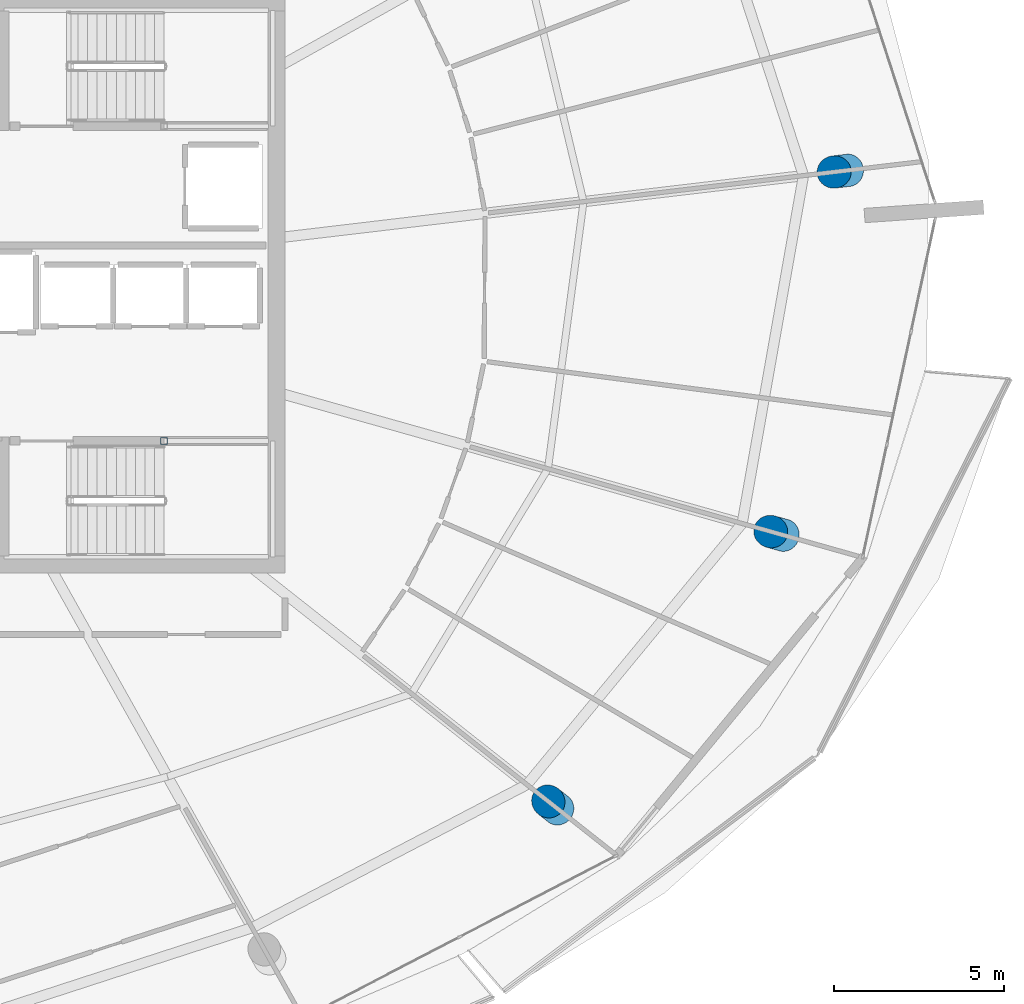
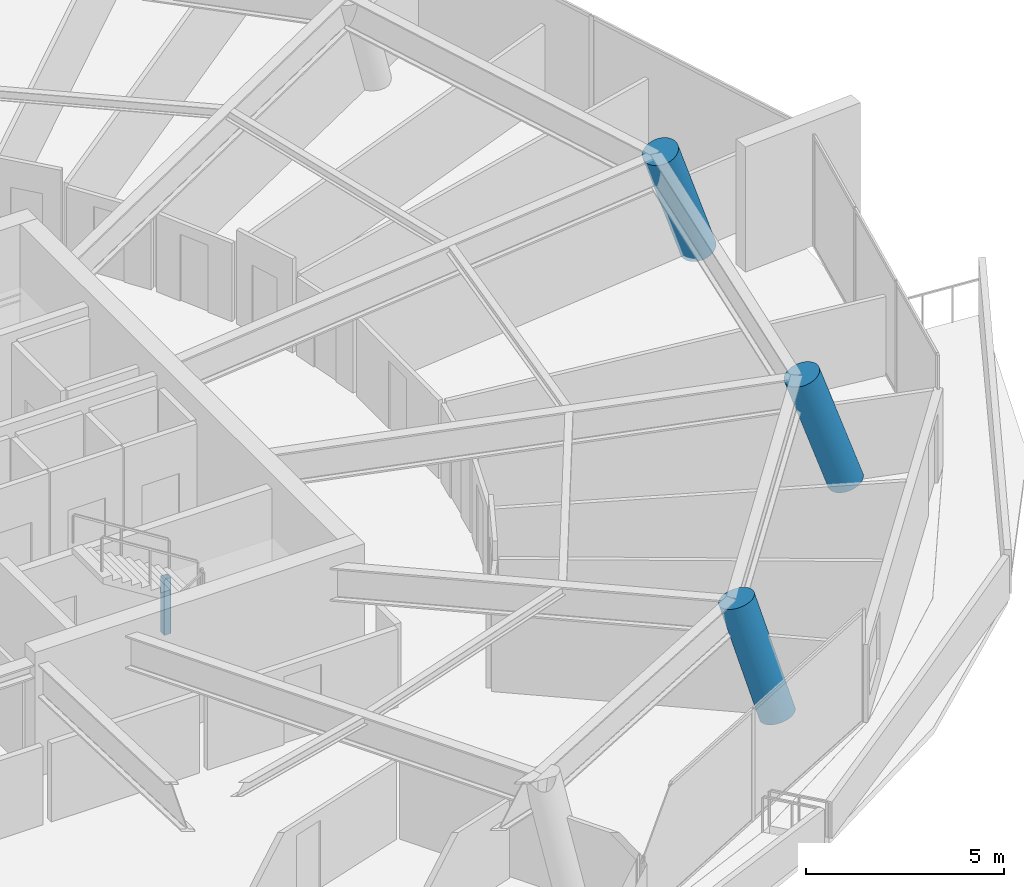
# One storey, part 3 of 30: 4 columns.
"""IFC4 building model written with IfcOpenShell, lengths in metres."""

from ifc_helpers import new_model, si_unit, direction, frame, origin, origin_2d, place, context, subcontext, project, spatial, hollow_rectangle, circle, extrude, material, material_profile, profile_set, type_object, element, save


model = new_model("IFC4")

# Units and contexts
model_context = context("Model", 3, precision=1e-05, world=origin(), true_north=direction((0.0, 1.0)))
body_context = subcontext(model_context, "Body", "Model", "MODEL_VIEW")
ifc_project = project(units=[si_unit("LENGTHUNIT", "METRE"), si_unit("AREAUNIT", "SQUARE_METRE"), si_unit("VOLUMEUNIT", "CUBIC_METRE"), si_unit("PLANEANGLEUNIT", "RADIAN"), si_unit("MASSUNIT", "GRAM", prefix="KILO")], contexts=[model_context])

# Site, building, storey
site_placement = place(None, origin())
site = spatial("IfcSite", under=ifc_project, at=site_placement, CompositionType="ELEMENT")
building_placement = place(site_placement, origin())
building = spatial("IfcBuilding", under=site, at=building_placement, Name="Kazma Halo Residences", CompositionType="ELEMENT")
storey_placement = place(building_placement, frame((0.0, 0.0, 302.14990234375)))
storey = spatial("IfcBuildingStorey", under=building, at=storey_placement, Name="L76", CompositionType="ELEMENT", Elevation=302.14990234375)

# Columns
ifc_material_1 = material(Name="Steel S355", Category="steel")
ifc_material_profile_1 = material_profile(ifc_material_1, hollow_rectangle(XDim=0.199951171875, YDim=0.199951171875, WallThickness=0.010009765625, InnerFilletRadius=0.010009765625, OuterFilletRadius=0.02001953125, at=origin_2d()), Name="SHS200x200x10")
ifc_profile_set_1 = profile_set([ifc_material_profile_1], Name="Steel S355")
column_type_1 = type_object("IfcColumnType", Name="COL-LP-SHS200", PredefinedType="COLUMN", material=ifc_profile_set_1)
column_1_placement = place(storey_placement, frame((56.0, 37.3798828125, 0.0), z_axis=(0.0, 0.0, 1.0), x_axis=(1.0, 0.0, 0.0)))
element("IfcColumn", 1, at=column_1_placement, inside=storey, type_object=column_type_1, Name="L76 ST-03 landing pilaster 1", PredefinedType="COLUMN", context=body_context, shape_type="SweptSolid", body=[
    extrude(hollow_rectangle(XDim=0.199951171875, YDim=0.199951171875, WallThickness=0.010009765625, InnerFilletRadius=0.010009765625, OuterFilletRadius=0.02001953125, at=origin_2d()), origin(), (0.0, 0.0, 1.0), 1.72021484375),
])
ifc_material_2 = material(Name="Concrete C60/75", Category="concrete")
ifc_material_profile_2 = material_profile(ifc_material_2, circle(Radius=0.47509765625, at=origin_2d()), Name="CIRC950")
ifc_profile_set_2 = profile_set([ifc_material_profile_2], Name="Concrete C60/75")
column_type_2 = type_object("IfcColumnType", Name="COL-PERIM-950", PredefinedType="COLUMN", material=ifc_profile_set_2)
column_2_placement = place(storey_placement, frame((67.566162109375, 26.5751953125, 0.0), z_axis=(-0.226872805026, 0.178910444334, 0.95735039732), x_axis=(-0.619218481875, -0.78521874131, 0.0)))
element("IfcColumn", 2, at=column_2_placement, inside=storey, type_object=column_type_2, Name="L76 perimeter ring column P14", PredefinedType="COLUMN", context=body_context, shape_type="SweptSolid", body=[
    extrude(circle(Radius=0.47509765625, at=origin_2d()), origin(), (0.0, 0.0, 1.0), 3.60400390625),
])
column_3_placement = place(storey_placement, frame((74.19091796875, 34.61328125, 0.0), z_axis=(-0.301218130551, 0.085015826673, 0.949757835999), x_axis=(-0.271628463208, -0.962402191381, 0.0)))
element("IfcColumn", 3, at=column_3_placement, inside=storey, type_object=column_type_2, Name="L76 perimeter ring column P15", PredefinedType="COLUMN", context=body_context, shape_type="SweptSolid", body=[
    extrude(circle(Radius=0.47509765625, at=origin_2d()), origin(), (0.0, 0.0, 1.0), 3.6328125),
])
column_4_placement = place(storey_placement, frame((76.07958984375, 45.323486328125, 0.0), z_axis=(-0.321796334521, -0.038090724848, 0.946042396391), x_axis=(0.117548410709, -0.993067153389, 0.0)))
element("IfcColumn", 4, at=column_4_placement, inside=storey, type_object=column_type_2, Name="L76 perimeter ring column P16", PredefinedType="COLUMN", context=body_context, shape_type="SweptSolid", body=[
    extrude(circle(Radius=0.47509765625, at=origin_2d()), origin(), (0.0, 0.0, 1.0), 3.64697265625),
])

save(model, "model.ifc")
